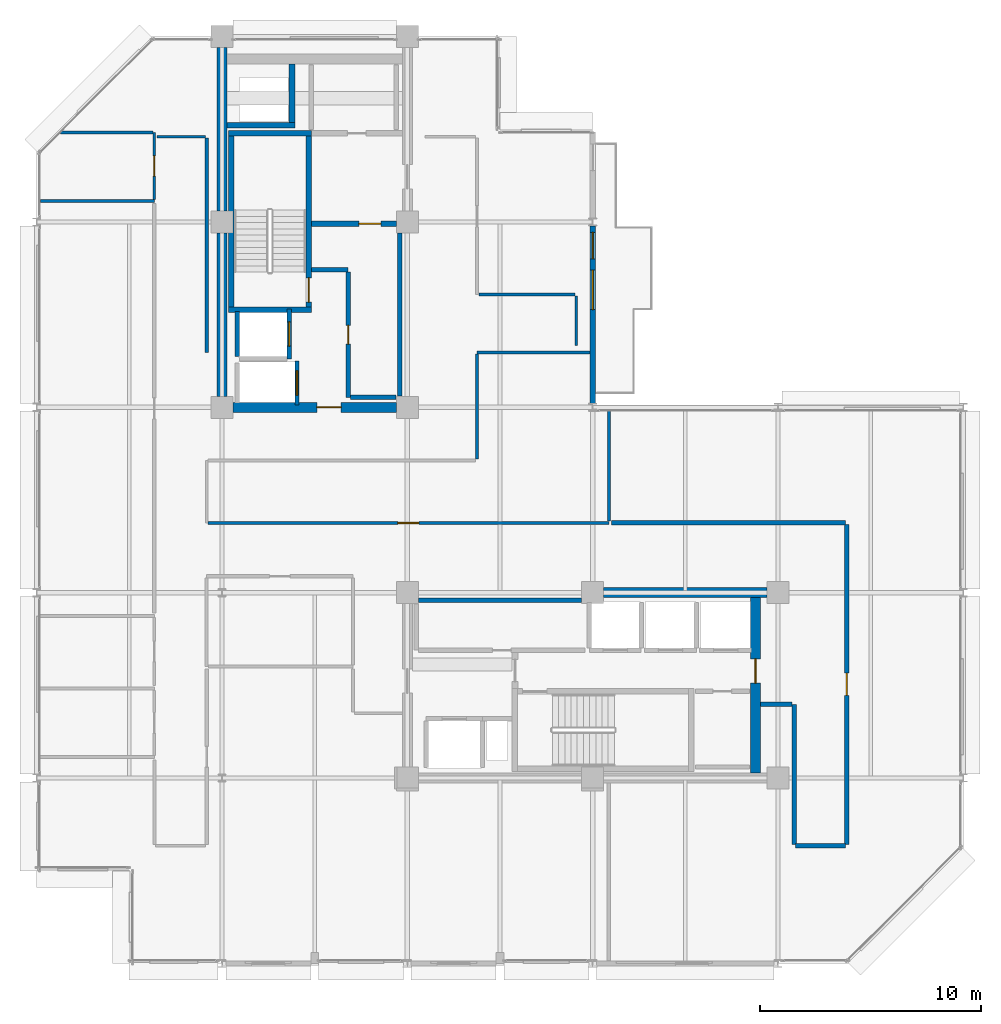
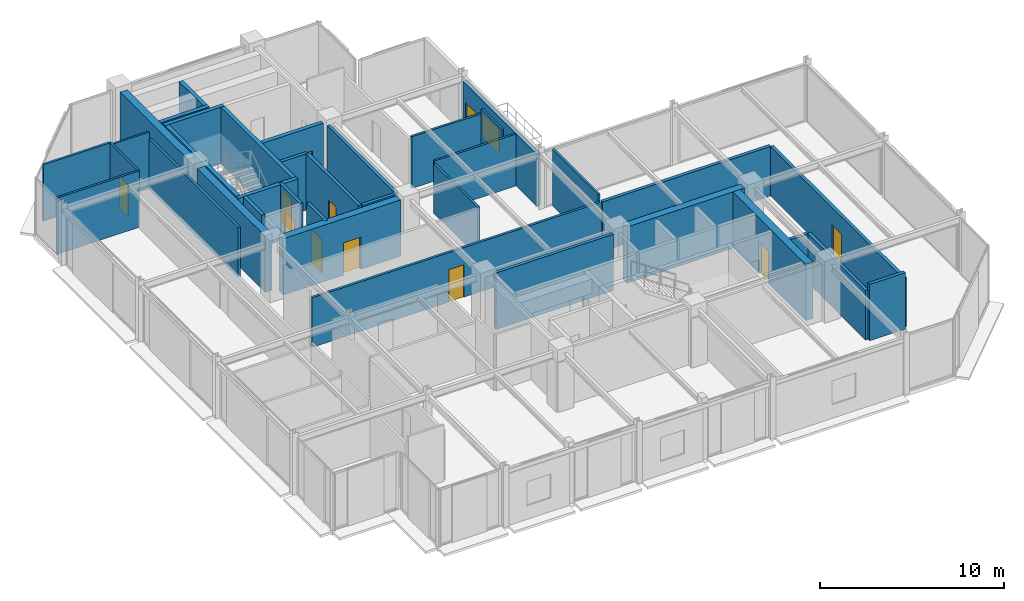
# One storey, part 21 of 26: 37 walls, 11 doors, 1 window, 12 openings.
"""IFC4 building model written with IfcOpenShell, lengths in metres."""

import ifcopenshell
import ifcopenshell.guid

model = None  # the IFC model being written
_history = None  # IfcOwnerHistory: only IFC2X3 demands one
_inside = {}  # id of a spatial element -> (the spatial element, [elements in it])
_under = {}  # id of a project, library or spatial element -> (it, [spatial elements below it])
_declared = {}  # id of a project -> (the project, [libraries it declares])
_typed = {}  # id of a type object -> (the type object, [elements of that type])
_made_of = {}  # id of a material, layer set ... -> (it, [elements and type objects made of it])


def new_model(schema):
    """Start an empty IFC model of exactly this schema.

    Asked for "IFC4X3", IfcOpenShell would pick the latest addendum, in which some entities
    have other attributes; the version numbers below select the first issue.
    IFC2X3 requires an IfcOwnerHistory on every rooted entity: one is made here for all.
    """
    global model, _history
    if schema == "IFC4X3":
        model = ifcopenshell.file(schema_version=(4, 3, 0, 0))
    else:
        model = ifcopenshell.file(schema=schema)
    _inside.clear()
    _under.clear()
    _declared.clear()
    _typed.clear()
    _made_of.clear()
    _history = None
    if model.schema == "IFC2X3":
        org = make("IfcOrganization", Name="unknown")
        user = make(
            "IfcPersonAndOrganization",
            ThePerson=make("IfcPerson", FamilyName="unknown"),
            TheOrganization=org,
        )
        app = make(
            "IfcApplication",
            ApplicationDeveloper=org,
            Version="unknown",
            ApplicationFullName="unknown",
            ApplicationIdentifier="unknown",
        )
        _history = make(
            "IfcOwnerHistory",
            OwningUser=user,
            OwningApplication=app,
            ChangeAction="ADDED",
            CreationDate=0,
        )
    return model


def make(cls, **values):
    """One entity of the class cls with the attributes given. An attribute that is None is left unset."""
    return model.create_entity(
        cls, **{name: value for name, value in values.items() if value is not None}
    )


def rooted(cls, **values):
    """An entity with a GlobalId (a new one), such as an element, a storey or a relation."""
    return make(cls, GlobalId=ifcopenshell.guid.new(), OwnerHistory=_history, **values)


def si_unit(unit_type, name, prefix=None):
    """IfcSIUnit, for example si_unit("LENGTHUNIT", "METRE", prefix="MILLI")."""
    return make("IfcSIUnit", UnitType=unit_type, Prefix=prefix, Name=name)


def assignment(units):
    """IfcUnitAssignment: the units of a project."""
    return None if units is None else make("IfcUnitAssignment", Units=units)


def point(xyz):
    """IfcCartesianPoint."""
    return None if xyz is None else make("IfcCartesianPoint", Coordinates=xyz)


def direction(xyz):
    """IfcDirection."""
    return None if xyz is None else make("IfcDirection", DirectionRatios=xyz)


def frame(location, z_axis=None, x_axis=None):
    """IfcAxis2Placement3D, a coordinate frame: its origin and axes. An axis left out is left unset."""
    return make(
        "IfcAxis2Placement3D",
        Location=point(location),
        Axis=direction(z_axis),
        RefDirection=direction(x_axis),
    )


def frame_2d(location, x_axis=None):
    """IfcAxis2Placement2D, a coordinate frame in the plane: its origin and x axis."""
    return make(
        "IfcAxis2Placement2D", Location=point(location), RefDirection=direction(x_axis)
    )


def origin():
    """The frame at (0, 0, 0) with its axes left unset."""
    return frame((0.0, 0.0, 0.0))


def place(relative_to, where):
    """IfcLocalPlacement: puts the frame where relative to a parent placement (None: the world)."""
    return make(
        "IfcLocalPlacement", PlacementRelTo=relative_to, RelativePlacement=where
    )


def context(
    kind, dimensions, precision=None, world=None, true_north=None, identifier=None
):
    """IfcGeometricRepresentationContext, for example the 3D "Model" context."""
    return make(
        "IfcGeometricRepresentationContext",
        ContextIdentifier=identifier,
        ContextType=kind,
        CoordinateSpaceDimension=dimensions,
        Precision=precision,
        WorldCoordinateSystem=world,
        TrueNorth=true_north,
    )


def subcontext(parent, identifier, kind, view, scale=None):
    """IfcGeometricRepresentationSubContext, for example "Body" below "Model"."""
    return make(
        "IfcGeometricRepresentationSubContext",
        ContextIdentifier=identifier,
        ContextType=kind,
        ParentContext=parent,
        TargetScale=scale,
        TargetView=view,
    )


def project(units=None, contexts=None):
    """IfcProject with its units and contexts."""
    return rooted(
        "IfcProject",
        Name="project",
        RepresentationContexts=contexts,
        UnitsInContext=assignment(units),
    )


def spatial(cls, under=None, at=None, **own):
    """A site, building, storey or space (cls), placed at a placement, below another one or the project."""
    s = rooted(cls, ObjectPlacement=at, **own)
    if under is not None:
        _under.setdefault(under.id(), (under, []))[1].append(s)
    return s


def profile(cls, at=None, kind="AREA", **sizes):
    """A parametric profile (cls). Its sizes go by their IFC names, for example OverallWidth=200.0."""
    return make(cls, ProfileType=kind, Position=at, **sizes)


def rectangle(**sizes):
    """IfcRectangleProfileDef."""
    return profile("IfcRectangleProfileDef", **sizes)


def extrude(swept, where, along, depth):
    """IfcExtrudedAreaSolid: the profile swept, set in the frame where, extruded along a direction by depth."""
    return make(
        "IfcExtrudedAreaSolid",
        SweptArea=swept,
        Position=where,
        ExtrudedDirection=direction(along),
        Depth=depth,
    )


def shape(context_of_items, identifier, shape_type, items):
    """IfcShapeRepresentation: the items that make up one representation, for example the "Body"."""
    return make(
        "IfcShapeRepresentation",
        ContextOfItems=context_of_items,
        RepresentationIdentifier=identifier,
        RepresentationType=shape_type,
        Items=items,
    )


def material(Name=None, Category=None):
    """IfcMaterial."""
    return make("IfcMaterial", Name=Name, Category=Category)


def layer(
    of_material, thickness, ventilated=None, Name=None, Category=None, Priority=None
):
    """IfcMaterialLayer: one layer of a wall or slab, of a material (None: an air gap)."""
    return make(
        "IfcMaterialLayer",
        Material=of_material,
        LayerThickness=thickness,
        IsVentilated=ventilated,
        Name=Name,
        Category=Category,
        Priority=Priority,
    )


def layer_set(layers, Name=None):
    """IfcMaterialLayerSet."""
    return make("IfcMaterialLayerSet", MaterialLayers=layers, LayerSetName=Name)


def made_of(thing, what):
    """Note that an element or type object is made of a material, layer set ...; save() writes the relation."""
    if what is not None:
        _made_of.setdefault(what.id(), (what, []))[1].append(thing)
    return thing


def type_object(cls, material=None, **own):
    """A type object (cls), such as IfcWallType, which elements share."""
    return made_of(rooted(cls, **own), material)


def element(
    cls,
    number,
    at=None,
    inside=None,
    cuts=None,
    type_object=None,
    material=None,
    context=None,
    identifier="Body",
    shape_type=None,
    held_by="IfcProductDefinitionShape",
    body=None,
    shapes=None,
    **own,
):
    """One element of the class cls, such as IfcWall. Its Tag is "e" and its number.

    at: its placement. inside: the storey or other place that contains it. cuts: it is an
    opening in that element (IfcRelVoidsElement). A single representation is given by context,
    identifier, shape_type and body (its items); several are given by shapes. held_by: the class
    of the entity that holds the representations. save() writes the other relations.
    """
    e = rooted(cls, Tag="e%d" % number, ObjectPlacement=at, **own)
    if body is not None:
        shapes = [shape(context, identifier, shape_type, body)]
    if shapes is not None:
        e.Representation = make(held_by, Representations=shapes)
    if inside is not None:
        _inside.setdefault(inside.id(), (inside, []))[1].append(e)
    if cuts is not None:
        rooted(
            "IfcRelVoidsElement", RelatingBuildingElement=cuts, RelatedOpeningElement=e
        )
    if type_object is not None:
        _typed.setdefault(type_object.id(), (type_object, []))[1].append(e)
    return made_of(e, material)


def fill(opening, filler):
    """IfcRelFillsElement: the door or window that sits in an opening."""
    return rooted(
        "IfcRelFillsElement",
        RelatingOpeningElement=opening,
        RelatedBuildingElement=filler,
    )


def aggregate(whole, parts):
    """IfcRelAggregates: a whole, such as a stair, and the parts it consists of."""
    return rooted("IfcRelAggregates", RelatingObject=whole, RelatedObjects=parts)


def save(model, path):
    """Write the relations noted so far, then the file.

    IfcRelAggregates (storeys below a building ...), IfcRelContainedInSpatialStructure (elements
    in a storey), IfcRelDefinesByType, IfcRelAssociatesMaterial and IfcRelDeclares: one each for
    every whole, place, type object, material and project.
    """
    for whole, parts in _under.values():
        aggregate(whole, parts)
    for where, things in _inside.values():
        rooted(
            "IfcRelContainedInSpatialStructure",
            RelatedElements=things,
            RelatingStructure=where,
        )
    for kind, things in _typed.values():
        rooted("IfcRelDefinesByType", RelatedObjects=things, RelatingType=kind)
    for what, things in _made_of.values():
        rooted("IfcRelAssociatesMaterial", RelatedObjects=things, RelatingMaterial=what)
    for by, libraries in _declared.values():
        rooted("IfcRelDeclares", RelatingContext=by, RelatedDefinitions=libraries)
    model.write(path)


model = new_model("IFC4")

# Units and contexts
model_context = context("Model", 3, precision=1e-05, world=origin(), true_north=direction((0.0, 1.0)))
body_context = subcontext(model_context, "Body", "Model", "MODEL_VIEW")
ifc_project = project(units=[si_unit("LENGTHUNIT", "METRE"), si_unit("AREAUNIT", "SQUARE_METRE"), si_unit("VOLUMEUNIT", "CUBIC_METRE"), si_unit("PLANEANGLEUNIT", "RADIAN"), si_unit("MASSUNIT", "GRAM", prefix="KILO")], contexts=[model_context])

# Site, building, storey
site_placement = place(None, origin())
site = spatial("IfcSite", under=ifc_project, at=site_placement, CompositionType="ELEMENT")
building_placement = place(site_placement, origin())
building = spatial("IfcBuilding", under=site, at=building_placement, Name="Nerrivon Quay Data Exchange", CompositionType="ELEMENT")
storey_placement = place(building_placement, frame((0.0, 0.0, 241.10009765625)))
storey = spatial("IfcBuildingStorey", under=building, at=storey_placement, Name="L57", CompositionType="ELEMENT", Elevation=241.10009765625)

# Wall, openings, door, window
ifc_material_1 = material(Name="Architectural terracotta precast concrete N50 (50 MPa)", Category="masonry")
ifc_layer_1 = layer(ifc_material_1, 0.239990234375)
ifc_layer_set_1 = layer_set([ifc_layer_1], Name="Architectural terracotta precast concrete N50 (50 MPa)")
wall_type_1 = type_object("IfcWallType", Name="EW-PREC-240", PredefinedType="STANDARD", material=ifc_layer_set_1)
wall_1_placement = place(storey_placement, frame((25.199951171875, 33.425048828125, 0.0), z_axis=(0.0, 0.0, 1.0), x_axis=(0.0, -1.0, 0.0)))
wall_1 = element("IfcWall", 1, at=wall_1_placement, inside=storey, type_object=wall_type_1, Name="L57 Terrace Host Wall 23", PredefinedType="STANDARD", context=body_context, shape_type="SweptSolid", body=[
    extrude(rectangle(XDim=8.050048828125, YDim=0.239990234375, at=frame_2d((4.02490234375, 0.0))), origin(), (0.0, 0.0, 1.0), 3.449951171875),
])
opening_1_placement = place(wall_1_placement, frame((0.300048828125, 0.0, 0.0)))
opening_1 = element("IfcOpeningElement", 2, at=opening_1_placement, cuts=wall_1, Name="Opening TD1", PredefinedType="OPENING", context=body_context, shape_type="SweptSolid", body=[
    extrude(rectangle(XDim=1.199951171875, YDim=2.199951171875, at=frame_2d((0.60009765625, 1.10009765625))), frame((0.0, 0.1298828125, 0.0), z_axis=(0.0, -1.0, 0.0), x_axis=(1.0, 0.0, 0.0)), (0.0, 0.0, 1.0), 0.260009765625),
])
opening_2_placement = place(wall_1_placement, frame((2.00341796875, 0.0, 0.89990234375)))
opening_2 = element("IfcOpeningElement", 3, at=opening_2_placement, cuts=wall_1, Name="Opening WN2", PredefinedType="OPENING", context=body_context, shape_type="SweptSolid", body=[
    extrude(rectangle(XDim=1.800048828125, YDim=1.60009765625, at=frame_2d((0.89990234375, 0.800048828125))), frame((0.0, 0.1298828125, 0.0), z_axis=(0.0, -1.0, 0.0), x_axis=(1.0, 0.0, 0.0)), (0.0, 0.0, 1.0), 0.260009765625),
])
ifc_material_2 = material(Name="Double-glazed low-E solar control glass", Category="glass")
door_type_1 = type_object("IfcDoorType", Name="DR-TERR-1200x2200", OperationType="NOTDEFINED", PredefinedType="DOOR", material=ifc_material_2)
door_1_placement = place(opening_1_placement, origin())
door_1 = element("IfcDoor", 4, at=door_1_placement, inside=storey, type_object=door_type_1, Name="L57 Outdoor Terrace Access Door 23", OperationType="SINGLE_SWING_RIGHT", OverallHeight=2.199951171875, OverallWidth=1.199951171875, PredefinedType="DOOR", context=body_context, shape_type="SweptSolid", body=[
    extrude(rectangle(XDim=1.199951171875, YDim=2.199951171875, at=frame_2d((0.60009765625, 1.10009765625))), frame((0.0, 0.02490234375, 0.0), z_axis=(0.0, -1.0, 0.0), x_axis=(1.0, 0.0, 0.0)), (0.0, 0.0, 1.0), 0.050048828125),
])
fill(opening_1, door_1)
window_type = type_object("IfcWindowType", Name="WIN-W2-1800x1600", PartitioningType="SINGLE_PANEL", PredefinedType="WINDOW", material=ifc_material_2)
window_placement = place(opening_2_placement, origin())
window = element("IfcWindow", 5, at=window_placement, inside=storey, type_object=window_type, Name="L57 Terrace Side Window 23", OverallHeight=1.60009765625, OverallWidth=1.800048828125, PartitioningType="SINGLE_PANEL", PredefinedType="WINDOW", context=body_context, shape_type="SweptSolid", body=[
    extrude(rectangle(XDim=1.800048828125, YDim=1.60009765625, at=frame_2d((0.89990234375, 0.800048828125))), frame((0.0, 0.030029296875, 0.0), z_axis=(0.0, -1.0, 0.0), x_axis=(1.0, 0.0, 0.0)), (0.0, 0.0, 1.0), 0.06005859375),
])
fill(opening_2, window)

# Walls
ifc_material_3 = material(Name="Concrete N50 (50 MPa)", Category="concrete")
ifc_layer_2 = layer(ifc_material_3, 0.449951171875)
ifc_layer_set_2 = layer_set([ifc_layer_2], Name="Concrete N50 (50 MPa)")
wall_type_2 = type_object("IfcWallType", Name="WALL-CW-550", PredefinedType="SHEAR", material=ifc_layer_set_2)
wall_2_placement = place(storey_placement, frame((8.39990234375, 25.699951171875, 0.0), z_axis=(0.0, 0.0, 1.0), x_axis=(0.0, 1.0, 0.0)))
element("IfcWall", 6, at=wall_2_placement, inside=storey, type_object=wall_type_2, Name="L57 West Split-Core Shear Wall WCW-W1", PredefinedType="SHEAR", context=body_context, shape_type="SweptSolid", body=[
    extrude(rectangle(XDim=7.400146484375, YDim=0.449951171875, at=frame_2d((3.7001953125, 0.0))), origin(), (0.0, 0.0, 1.0), 3.75),
])
wall_3_placement = place(storey_placement, frame((8.39990234375, 34.10009765625, 0.0), z_axis=(0.0, 0.0, 1.0), x_axis=(0.0, 1.0, 0.0)))
element("IfcWall", 7, at=wall_3_placement, inside=storey, type_object=wall_type_2, Name="L57 West Split-Core Shear Wall WCW-W2", PredefinedType="SHEAR", context=body_context, shape_type="SweptSolid", body=[
    extrude(rectangle(XDim=7.39990234375, YDim=0.449951171875, at=frame_2d((3.699951171875, 0.0))), origin(), (0.0, 0.0, 1.0), 3.75),
])

# Wall, opening, door
wall_4_placement = place(storey_placement, frame((8.89990234375, 25.199951171875, 0.0), z_axis=(0.0, 0.0, 1.0), x_axis=(1.0, 0.0, 0.0)))
wall_4 = element("IfcWall", 8, at=wall_4_placement, inside=storey, type_object=wall_type_2, Name="L57 West Split-Core Shear Wall WCW-S1", PredefinedType="SHEAR", context=body_context, shape_type="SweptSolid", body=[
    extrude(rectangle(XDim=7.400146484375, YDim=0.449951171875, at=frame_2d((3.7001953125, 0.0))), origin(), (0.0, 0.0, 1.0), 3.75),
])
opening_3_placement = place(wall_4_placement, frame((3.800048828125, 0.0, 0.0)))
opening_3 = element("IfcOpeningElement", 9, at=opening_3_placement, cuts=wall_4, Name="Opening FD-120", PredefinedType="OPENING", context=body_context, shape_type="SweptSolid", body=[
    extrude(rectangle(XDim=1.10009765625, YDim=2.14990234375, at=frame_2d((0.550048828125, 1.074951171875))), frame((0.0, 0.23486328125, 0.0), z_axis=(0.0, -1.0, 0.0), x_axis=(1.0, 0.0, 0.0)), (0.0, 0.0, 1.0), 0.469970703125),
])
ifc_material_4 = material(Name="Powder-coated galvanized steel sheet", Category="steel")
door_type_2 = type_object("IfcDoorType", Name="DR-FD120-1100", OperationType="NOTDEFINED", PredefinedType="DOOR", material=ifc_material_4)
door_2_placement = place(opening_3_placement, origin())
door_2 = element("IfcDoor", 10, at=door_2_placement, inside=storey, type_object=door_type_2, Name="L57 West Core Lobby Fire Door", OperationType="SINGLE_SWING_RIGHT", OverallHeight=2.14990234375, OverallWidth=1.10009765625, PredefinedType="DOOR", context=body_context, shape_type="SweptSolid", body=[
    extrude(rectangle(XDim=1.10009765625, YDim=2.14990234375, at=frame_2d((0.550048828125, 1.074951171875))), frame((0.0, 0.02490234375, 0.0), z_axis=(0.0, -1.0, 0.0), x_axis=(1.0, 0.0, 0.0)), (0.0, 0.0, 1.0), 0.050048828125),
])
fill(opening_3, door_2)

wall_5_placement = place(storey_placement, frame((32.574951171875, 8.625, 0.0), z_axis=(0.0, 0.0, 1.0), x_axis=(0.0, 1.0, 0.0)))
wall_5 = element("IfcWall", 11, at=wall_5_placement, inside=storey, type_object=wall_type_2, Name="L57 East Split-Core Shear Wall ECW-E1", PredefinedType="SHEAR", context=body_context, shape_type="SweptSolid", body=[
    extrude(rectangle(XDim=7.949951171875, YDim=0.449951171875, at=frame_2d((3.97509765625, 0.0))), origin(), (0.0, 0.0, 1.0), 3.75),
])
opening_4_placement = place(wall_5_placement, frame((4.074951171875, 0.0, 0.0)))
opening_4 = element("IfcOpeningElement", 12, at=opening_4_placement, cuts=wall_5, Name="Opening FD-120", PredefinedType="OPENING", context=body_context, shape_type="SweptSolid", body=[
    extrude(rectangle(XDim=1.10009765625, YDim=2.14990234375, at=frame_2d((0.550048828125, 1.074951171875))), frame((0.0, 0.23486328125, 0.0), z_axis=(0.0, -1.0, 0.0), x_axis=(1.0, 0.0, 0.0)), (0.0, 0.0, 1.0), 0.469970703125),
])
door_3_placement = place(opening_4_placement, origin())
door_3 = element("IfcDoor", 13, at=door_3_placement, inside=storey, type_object=door_type_2, Name="L57 East Core Lobby Fire Door", OperationType="SINGLE_SWING_LEFT", OverallHeight=2.14990234375, OverallWidth=1.10009765625, PredefinedType="DOOR", context=body_context, shape_type="SweptSolid", body=[
    extrude(rectangle(XDim=1.10009765625, YDim=2.14990234375, at=frame_2d((0.550048828125, 1.074951171875))), frame((0.0, 0.02490234375, 0.0), z_axis=(0.0, -1.0, 0.0), x_axis=(1.0, 0.0, 0.0)), (0.0, 0.0, 1.0), 0.050048828125),
])
fill(opening_4, door_3)

# Wall
wall_6_placement = place(storey_placement, frame((25.699951171875, 16.800048828125, 0.0), z_axis=(0.0, 0.0, 1.0), x_axis=(1.0, 0.0, 0.0)))
element("IfcWall", 14, at=wall_6_placement, inside=storey, type_object=wall_type_2, Name="L57 East Split-Core Shear Wall ECW-N1", PredefinedType="SHEAR", context=body_context, shape_type="SweptSolid", body=[
    extrude(rectangle(XDim=7.400146484375, YDim=0.449951171875, at=frame_2d((3.7001953125, 0.0))), origin(), (0.0, 0.0, 1.0), 3.75),
])

# Wall, opening, door
ifc_material_5 = material(Name="Gypsum plasterboard on cold-formed framing", Category="gypsum")
ifc_layer_3 = layer(ifc_material_5, 0.199951171875)
ifc_layer_set_3 = layer_set([ifc_layer_3], Name="Gypsum plasterboard on cold-formed framing")
wall_type_3 = type_object("IfcWallType", Name="WALL-FW-200", PredefinedType="PARTITIONING", material=ifc_layer_set_3)
wall_7_placement = place(storey_placement, frame((11.449951171875, 27.39990234375, 0.0), z_axis=(0.0, 0.0, 1.0), x_axis=(0.0, 1.0, 0.0)))
wall_7 = element("IfcWall", 15, at=wall_7_placement, inside=storey, type_object=wall_type_3, Name="L57 Lift Front Wall FFL-1", PredefinedType="PARTITIONING", context=body_context, shape_type="SweptSolid", body=[
    extrude(rectangle(XDim=2.25, YDim=0.199951171875, at=frame_2d((1.125, 0.0))), origin(), (0.0, 0.0, 1.0), 3.75),
])
opening_5_placement = place(wall_7_placement, frame((0.574951171875, 0.0, 0.0)))
opening_5 = element("IfcOpeningElement", 16, at=opening_5_placement, cuts=wall_7, Name="Opening LD-120", PredefinedType="OPENING", context=body_context, shape_type="SweptSolid", body=[
    extrude(rectangle(XDim=1.10009765625, YDim=2.199951171875, at=frame_2d((0.550048828125, 1.10009765625))), frame((0.0, 0.10986328125, 0.0), z_axis=(0.0, -1.0, 0.0), x_axis=(1.0, 0.0, 0.0)), (0.0, 0.0, 1.0), 0.219970703125),
])
door_type_3 = type_object("IfcDoorType", Name="DR-LIFT-LD120", OperationType="DOUBLE_DOOR_SLIDING", PredefinedType="DOOR", material=ifc_material_4)
door_4_placement = place(opening_5_placement, origin())
door_4 = element("IfcDoor", 17, at=door_4_placement, inside=storey, type_object=door_type_3, Name="L57 Lift Landing Sliding Door FFL-1", OperationType="DOUBLE_DOOR_SLIDING", OverallHeight=2.199951171875, OverallWidth=1.10009765625, PredefinedType="DOOR", context=body_context, shape_type="SweptSolid", body=[
    extrude(rectangle(XDim=1.10009765625, YDim=2.199951171875, at=frame_2d((0.550048828125, 1.10009765625))), frame((0.0, 0.02490234375, 0.0), z_axis=(0.0, -1.0, 0.0), x_axis=(1.0, 0.0, 0.0)), (0.0, 0.0, 1.0), 0.050048828125),
])
fill(opening_5, door_4)

# Wall
wall_8_placement = place(storey_placement, frame((9.10009765625, 27.5, 0.0), z_axis=(0.0, 0.0, 1.0), x_axis=(0.0, 1.0, 0.0)))
element("IfcWall", 18, at=wall_8_placement, inside=storey, type_object=wall_type_3, Name="L57 Lift Shaft Wall FFL-1 WEST", PredefinedType="PARTITIONING", context=body_context, shape_type="SweptSolid", body=[
    extrude(rectangle(XDim=2.050048828125, YDim=0.199951171875, at=frame_2d((1.02490234375, 0.0))), origin(), (0.0, 0.0, 1.0), 3.75),
])

# Wall, opening, door
wall_9_placement = place(storey_placement, frame((11.800048828125, 25.300048828125, 0.0), z_axis=(0.0, 0.0, 1.0), x_axis=(0.0, 1.0, 0.0)))
wall_9 = element("IfcWall", 19, at=wall_9_placement, inside=storey, type_object=wall_type_3, Name="L57 Lift Front Wall SVL-1", PredefinedType="PARTITIONING", context=body_context, shape_type="SweptSolid", body=[
    extrude(rectangle(XDim=2.0, YDim=0.199951171875, at=frame_2d((1.0, 0.0))), origin(), (0.0, 0.0, 1.0), 3.75),
])
opening_6_placement = place(wall_9_placement, frame((0.449951171875, 0.0, 0.0)))
opening_6 = element("IfcOpeningElement", 20, at=opening_6_placement, cuts=wall_9, Name="Opening LD-120", PredefinedType="OPENING", context=body_context, shape_type="SweptSolid", body=[
    extrude(rectangle(XDim=1.10009765625, YDim=2.199951171875, at=frame_2d((0.550048828125, 1.10009765625))), frame((0.0, 0.10986328125, 0.0), z_axis=(0.0, -1.0, 0.0), x_axis=(1.0, 0.0, 0.0)), (0.0, 0.0, 1.0), 0.219970703125),
])
door_5_placement = place(opening_6_placement, origin())
door_5 = element("IfcDoor", 21, at=door_5_placement, inside=storey, type_object=door_type_3, Name="L57 Lift Landing Sliding Door SVL-1", OperationType="DOUBLE_DOOR_SLIDING", OverallHeight=2.199951171875, OverallWidth=1.10009765625, PredefinedType="DOOR", context=body_context, shape_type="SweptSolid", body=[
    extrude(rectangle(XDim=1.10009765625, YDim=2.199951171875, at=frame_2d((0.550048828125, 1.10009765625))), frame((0.0, 0.02490234375, 0.0), z_axis=(0.0, -1.0, 0.0), x_axis=(1.0, 0.0, 0.0)), (0.0, 0.0, 1.0), 0.050048828125),
])
fill(opening_6, door_5)

# Walls
wall_10_placement = place(storey_placement, frame((16.449951171875, 25.705078125, 0.0), z_axis=(0.0, 0.0, 1.0), x_axis=(0.0, 1.0, 0.0)))
element("IfcWall", 22, at=wall_10_placement, inside=storey, type_object=wall_type_3, Name="L57 Partition Telemetry Hub Closet", PredefinedType="PARTITIONING", context=body_context, shape_type="SweptSolid", body=[
    extrude(rectangle(XDim=7.389892578125, YDim=0.199951171875, at=frame_2d((3.69482421875, 0.0))), origin(), (0.0, 0.0, 1.0), 3.75),
])
wall_11_placement = place(storey_placement, frame((12.4541015625, 31.43994140625, 0.0), z_axis=(0.0, 0.0, 1.0), x_axis=(1.0, 0.0, 0.0)))
element("IfcWall", 23, at=wall_11_placement, inside=storey, type_object=wall_type_3, Name="L57 Partition Telemetry Hub Closet", PredefinedType="PARTITIONING", context=body_context, shape_type="SweptSolid", body=[
    extrude(rectangle(XDim=1.666015625, YDim=0.199951171875, at=frame_2d((0.8330078125, 0.0))), origin(), (0.0, 0.0, 1.0), 3.75),
])

# Wall, opening, door
wall_12_placement = place(storey_placement, frame((14.1201171875, 31.3359375, 0.0), z_axis=(0.0, 0.0, 1.0), x_axis=(0.0, -1.0, 0.0)))
wall_12 = element("IfcWall", 24, at=wall_12_placement, inside=storey, type_object=wall_type_3, Name="L57 Partition Telemetry Hub Closet", PredefinedType="PARTITIONING", context=body_context, shape_type="SweptSolid", body=[
    extrude(rectangle(XDim=5.68603515625, YDim=0.199951171875, at=frame_2d((2.843017578125, 0.0))), origin(), (0.0, 0.0, 1.0), 3.75),
])
opening_7_placement = place(wall_12_placement, frame((2.41796875, 0.0, 0.0)))
opening_7 = element("IfcOpeningElement", 25, at=opening_7_placement, cuts=wall_12, Name="Opening FD-60S", PredefinedType="OPENING", context=body_context, shape_type="SweptSolid", body=[
    extrude(rectangle(XDim=0.85009765625, YDim=2.14990234375, at=frame_2d((0.425048828125, 1.074951171875))), frame((0.0, 0.10986328125, 0.0), z_axis=(0.0, -1.0, 0.0), x_axis=(1.0, 0.0, 0.0)), (0.0, 0.0, 1.0), 0.219970703125),
])
ifc_material_6 = material(Name="Engineered hardwood timber", Category="wood")
door_type_4 = type_object("IfcDoorType", Name="DR-FD60-850", OperationType="NOTDEFINED", PredefinedType="DOOR", material=ifc_material_6)
door_6_placement = place(opening_7_placement, origin())
door_6 = element("IfcDoor", 26, at=door_6_placement, inside=storey, type_object=door_type_4, Name="L57 Door Telemetry Hub Closet", OperationType="SINGLE_SWING_LEFT", OverallHeight=2.14990234375, OverallWidth=0.85009765625, PredefinedType="DOOR", context=body_context, shape_type="SweptSolid", body=[
    extrude(rectangle(XDim=0.85009765625, YDim=2.14990234375, at=frame_2d((0.425048828125, 1.074951171875))), frame((0.0, 0.02490234375, 0.0), z_axis=(0.0, -1.0, 0.0), x_axis=(1.0, 0.0, 0.0)), (0.0, 0.0, 1.0), 0.050048828125),
])
fill(opening_7, door_6)

# Walls
wall_13_placement = place(storey_placement, frame((14.22412109375, 25.64990234375, 0.0), z_axis=(0.0, 0.0, 1.0), x_axis=(1.0, 0.0, 0.0)))
element("IfcWall", 27, at=wall_13_placement, inside=storey, type_object=wall_type_3, Name="L57 Partition Telemetry Hub Closet", PredefinedType="PARTITIONING", context=body_context, shape_type="SweptSolid", body=[
    extrude(rectangle(XDim=2.07080078125, YDim=0.199951171875, at=frame_2d((1.035400390625, 0.0))), origin(), (0.0, 0.0, 1.0), 3.75),
])
wall_14_placement = place(storey_placement, frame((24.695068359375, 16.449951171875, 0.0), z_axis=(0.0, 0.0, 1.0), x_axis=(-1.0, 0.0, 0.0)))
element("IfcWall", 28, at=wall_14_placement, inside=storey, type_object=wall_type_3, Name="L57 Partition High-Zone Telemetry Equipment Store", PredefinedType="PARTITIONING", context=body_context, shape_type="SweptSolid", body=[
    extrude(rectangle(XDim=7.39013671875, YDim=0.199951171875, at=frame_2d((3.695068359375, 0.0))), origin(), (0.0, 0.0, 1.0), 3.75),
])
wall_15_placement = place(storey_placement, frame((26.0498046875, 19.9599609375, 0.0), z_axis=(0.0, 0.0, 1.0), x_axis=(1.0, 0.0, 0.0)))
element("IfcWall", 29, at=wall_15_placement, inside=storey, type_object=wall_type_3, Name="L57 Partition Colocation Data Workspace 1", PredefinedType="PARTITIONING", context=body_context, shape_type="SweptSolid", body=[
    extrude(rectangle(XDim=10.60009765625, YDim=0.199951171875, at=frame_2d((5.300048828125, 0.0))), origin(), (0.0, 0.0, 1.0), 3.2958984375),
])

# Wall, opening, door
wall_16_placement = place(storey_placement, frame((36.7099609375, 19.89990234375, 0.0), z_axis=(0.0, 0.0, 1.0), x_axis=(0.0, -1.0, 0.0)))
wall_16 = element("IfcWall", 30, at=wall_16_placement, inside=storey, type_object=wall_type_3, Name="L57 Partition Colocation Data Workspace 1", PredefinedType="PARTITIONING", context=body_context, shape_type="SweptSolid", body=[
    extrude(rectangle(XDim=14.5, YDim=0.199951171875, at=frame_2d((7.25, 0.0))), origin(), (0.0, 0.0, 1.0), 3.289794921875),
])
opening_8_placement = place(wall_16_placement, frame((6.75, 0.0, 0.0)))
opening_8 = element("IfcOpeningElement", 31, at=opening_8_placement, cuts=wall_16, Name="Opening FD-60", PredefinedType="OPENING", context=body_context, shape_type="SweptSolid", body=[
    extrude(rectangle(XDim=1.0, YDim=2.14990234375, at=frame_2d((0.5, 1.074951171875))), frame((0.0, 0.10986328125, 0.0), z_axis=(0.0, -1.0, 0.0), x_axis=(1.0, 0.0, 0.0)), (0.0, 0.0, 1.0), 0.219970703125),
])
door_type_5 = type_object("IfcDoorType", Name="DR-FD60-1000", OperationType="NOTDEFINED", PredefinedType="DOOR", material=ifc_material_6)
door_7_placement = place(opening_8_placement, origin())
door_7 = element("IfcDoor", 32, at=door_7_placement, inside=storey, type_object=door_type_5, Name="L57 Door Colocation Data Workspace 1", OperationType="SINGLE_SWING_LEFT", OverallHeight=2.14990234375, OverallWidth=1.0, PredefinedType="DOOR", context=body_context, shape_type="SweptSolid", body=[
    extrude(rectangle(XDim=1.0, YDim=2.14990234375, at=frame_2d((0.5, 1.074951171875))), frame((0.0, 0.02490234375, 0.0), z_axis=(0.0, -1.0, 0.0), x_axis=(1.0, 0.0, 0.0)), (0.0, 0.0, 1.0), 0.050048828125),
])
fill(opening_8, door_7)

# Walls
wall_17_placement = place(storey_placement, frame((36.64990234375, 5.340087890625, 0.0), z_axis=(0.0, 0.0, 1.0), x_axis=(-1.0, 0.0, 0.0)))
element("IfcWall", 33, at=wall_17_placement, inside=storey, type_object=wall_type_3, Name="L57 Partition Colocation Data Workspace 1", PredefinedType="PARTITIONING", context=body_context, shape_type="SweptSolid", body=[
    extrude(rectangle(XDim=2.25, YDim=0.199951171875, at=frame_2d((1.125, 0.0))), origin(), (0.0, 0.0, 1.0), 3.75),
])
wall_18_placement = place(storey_placement, frame((34.340087890625, 5.39990234375, 0.0), z_axis=(0.0, 0.0, 1.0), x_axis=(0.0, 1.0, 0.0)))
element("IfcWall", 34, at=wall_18_placement, inside=storey, type_object=wall_type_3, Name="L57 Partition Colocation Data Workspace 1", PredefinedType="PARTITIONING", context=body_context, shape_type="SweptSolid", body=[
    extrude(rectangle(XDim=6.340087890625, YDim=0.199951171875, at=frame_2d((3.169921875, 0.0))), origin(), (0.0, 0.0, 1.0), 3.289794921875),
])
wall_19_placement = place(storey_placement, frame((34.236083984375, 11.739990234375, 0.0), z_axis=(0.0, 0.0, 1.0), x_axis=(-1.0, 0.0, 0.0)))
element("IfcWall", 35, at=wall_19_placement, inside=storey, type_object=wall_type_3, Name="L57 Partition Colocation Data Workspace 1", PredefinedType="PARTITIONING", context=body_context, shape_type="SweptSolid", body=[
    extrude(rectangle(XDim=1.43212890625, YDim=0.199951171875, at=frame_2d((0.716064453125, 0.0))), origin(), (0.0, 0.0, 1.0), 3.2958984375),
])

# Wall, opening, door
ifc_layer_4 = layer(ifc_material_5, 0.1201171875)
ifc_layer_set_4 = layer_set([ifc_layer_4], Name="Gypsum plasterboard on cold-formed framing")
wall_type_4 = type_object("IfcWallType", Name="WALL-PT-120", PredefinedType="PARTITIONING", material=ifc_layer_set_4)
wall_20_placement = place(storey_placement, frame((5.340087890625, 34.62158203125, 0.0), z_axis=(0.0, 0.0, 1.0), x_axis=(0.0, 1.0, 0.0)))
wall_20 = element("IfcWall", 36, at=wall_20_placement, inside=storey, type_object=wall_type_4, Name="L57 Partition Staff Shower Block", PredefinedType="PARTITIONING", context=body_context, shape_type="SweptSolid", body=[
    extrude(rectangle(XDim=3.0283203125, YDim=0.1201171875, at=frame_2d((1.51416015625, 0.0))), origin(), (0.0, 0.0, 1.0), 3.75),
])
opening_9_placement = place(wall_20_placement, frame((1.05419921875, 0.0, 0.0)))
opening_9 = element("IfcOpeningElement", 37, at=opening_9_placement, cuts=wall_20, Name="Opening D-WC", PredefinedType="OPENING", context=body_context, shape_type="SweptSolid", body=[
    extrude(rectangle(XDim=0.919921875, YDim=2.10009765625, at=frame_2d((0.4599609375, 1.050048828125))), frame((0.0, 0.070068359375, 0.0), z_axis=(0.0, -1.0, 0.0), x_axis=(1.0, 0.0, 0.0)), (0.0, 0.0, 1.0), 0.14013671875),
])
door_type_6 = type_object("IfcDoorType", Name="DR-WC-920", OperationType="NOTDEFINED", PredefinedType="DOOR", material=ifc_material_6)
door_8_placement = place(opening_9_placement, origin())
door_8 = element("IfcDoor", 38, at=door_8_placement, inside=storey, type_object=door_type_6, Name="L57 Door Staff Shower Block", OperationType="SINGLE_SWING_LEFT", OverallHeight=2.10009765625, OverallWidth=0.919921875, PredefinedType="DOOR", context=body_context, shape_type="SweptSolid", body=[
    extrude(rectangle(XDim=0.919921875, YDim=2.10009765625, at=frame_2d((0.4599609375, 1.050048828125))), frame((0.0, 0.02490234375, 0.0), z_axis=(0.0, -1.0, 0.0), x_axis=(1.0, 0.0, 0.0)), (0.0, 0.0, 1.0), 0.050048828125),
])
fill(opening_9, door_8)

# Walls
wall_21_placement = place(storey_placement, frame((5.4599609375, 37.4599609375, 0.0), z_axis=(0.0, 0.0, 1.0), x_axis=(1.0, 0.0, 0.0)))
element("IfcWall", 39, at=wall_21_placement, inside=storey, type_object=wall_type_4, Name="L57 Partition Engineers Lounge", PredefinedType="PARTITIONING", context=body_context, shape_type="SweptSolid", body=[
    extrude(rectangle(XDim=2.18994140625, YDim=0.1201171875, at=frame_2d((1.094970703125, 0.0))), origin(), (0.0, 0.0, 1.0), 3.75),
])
wall_22_placement = place(storey_placement, frame((24.4599609375, 30.25, 0.0), z_axis=(0.0, 0.0, 1.0), x_axis=(0.0, -1.0, 0.0)))
element("IfcWall", 40, at=wall_22_placement, inside=storey, type_object=wall_type_4, Name="L57 Partition Engineers Lounge", PredefinedType="PARTITIONING", context=body_context, shape_type="SweptSolid", body=[
    extrude(rectangle(XDim=2.25, YDim=0.1201171875, at=frame_2d((1.125, 0.0))), origin(), (0.0, 0.0, 1.0), 3.75),
])
ifc_layer_5 = layer(ifc_material_5, 0.135009765625)
ifc_layer_set_5 = layer_set([ifc_layer_5], Name="Gypsum plasterboard on cold-formed framing")
wall_type_5 = type_object("IfcWallType", Name="WALL-PT-135", PredefinedType="PARTITIONING", material=ifc_layer_set_5)
wall_23_placement = place(storey_placement, frame((0.1689453125, 34.550048828125, 0.0), z_axis=(0.0, 0.0, 1.0), x_axis=(1.0, 0.0, 0.0)))
element("IfcWall", 41, at=wall_23_placement, inside=storey, type_object=wall_type_5, Name="L57 Partition Staff Shower Block", PredefinedType="PARTITIONING", context=body_context, shape_type="SweptSolid", body=[
    extrude(rectangle(XDim=5.171142578125, YDim=0.135009765625, at=frame_2d((2.58544921875, 0.0))), origin(), (0.0, 0.0, 1.0), 3.75),
])
wall_24_placement = place(storey_placement, frame((5.27587890625, 37.64990234375, 0.0), z_axis=(0.0, 0.0, 1.0), x_axis=(-1.0, 0.0, 0.0)))
element("IfcWall", 42, at=wall_24_placement, inside=storey, type_object=wall_type_5, Name="L57 Partition Staff Shower Block", PredefinedType="PARTITIONING", context=body_context, shape_type="SweptSolid", body=[
    extrude(rectangle(XDim=4.186767578125, YDim=0.135009765625, at=frame_2d((2.09326171875, 0.0))), origin(), (0.0, 0.0, 1.0), 3.75),
])
wall_25_placement = place(storey_placement, frame((25.9296875, 20.0390625, 0.0), z_axis=(0.0, 0.0, 1.0), x_axis=(0.0, 1.0, 0.0)))
element("IfcWall", 43, at=wall_25_placement, inside=storey, type_object=wall_type_5, Name="L57 Partition Staff Pantry", PredefinedType="PARTITIONING", context=body_context, shape_type="SweptSolid", body=[
    extrude(rectangle(XDim=4.991943359375, YDim=0.135009765625, at=frame_2d((2.49609375, 0.0))), origin(), (0.0, 0.0, 1.0), 3.75),
])
wall_26_placement = place(storey_placement, frame((25.075927734375, 27.68798828125, 0.0), z_axis=(0.0, 0.0, 1.0), x_axis=(-1.0, 0.0, 0.0)))
element("IfcWall", 44, at=wall_26_placement, inside=storey, type_object=wall_type_5, Name="L57 Partition Staff Pantry", PredefinedType="PARTITIONING", context=body_context, shape_type="SweptSolid", body=[
    extrude(rectangle(XDim=5.115966796875, YDim=0.135009765625, at=frame_2d((2.55810546875, 0.0))), origin(), (0.0, 0.0, 1.0), 3.44287109375),
])
wall_27_placement = place(storey_placement, frame((19.9599609375, 27.616455078125, 0.0), z_axis=(0.0, 0.0, 1.0), x_axis=(0.0, -1.0, 0.0)))
element("IfcWall", 45, at=wall_27_placement, inside=storey, type_object=wall_type_5, Name="L57 Partition Staff Pantry", PredefinedType="PARTITIONING", context=body_context, shape_type="SweptSolid", body=[
    extrude(rectangle(XDim=4.766357421875, YDim=0.135009765625, at=frame_2d((2.38330078125, 0.0))), origin(), (0.0, 0.0, 1.0), 3.289794921875),
])
wall_28_placement = place(storey_placement, frame((20.0390625, 30.31005859375, 0.0), z_axis=(0.0, 0.0, 1.0), x_axis=(1.0, 0.0, 0.0)))
element("IfcWall", 46, at=wall_28_placement, inside=storey, type_object=wall_type_5, Name="L57 Partition Engineers Lounge", PredefinedType="PARTITIONING", context=body_context, shape_type="SweptSolid", body=[
    extrude(rectangle(XDim=4.36083984375, YDim=0.135009765625, at=frame_2d((2.180419921875, 0.0))), origin(), (0.0, 0.0, 1.0), 3.44287109375),
])

# Wall, opening, door
ifc_layer_6 = layer(ifc_material_5, 0.14990234375)
ifc_layer_set_6 = layer_set([ifc_layer_6], Name="Gypsum plasterboard on cold-formed framing")
wall_type_6 = type_object("IfcWallType", Name="WALL-PT-150", PredefinedType="PARTITIONING", material=ifc_layer_set_6)
wall_29_placement = place(storey_placement, frame((7.77392578125, 19.9599609375, 0.0), z_axis=(0.0, 0.0, 1.0), x_axis=(1.0, 0.0, 0.0)))
wall_29 = element("IfcWall", 47, at=wall_29_placement, inside=storey, type_object=wall_type_6, Name="L57 Partition Staff Pantry", PredefinedType="PARTITIONING", context=body_context, shape_type="SweptSolid", body=[
    extrude(rectangle(XDim=18.15576171875, YDim=0.14990234375, at=frame_2d((9.077880859375, 0.0))), origin(), (0.0, 0.0, 1.0), 3.2958984375),
])
opening_10_placement = place(wall_29_placement, frame((8.602783203125, 0.0, 0.0)))
opening_10 = element("IfcOpeningElement", 48, at=opening_10_placement, cuts=wall_29, Name="Opening D-01", PredefinedType="OPENING", context=body_context, shape_type="SweptSolid", body=[
    extrude(rectangle(XDim=0.949951171875, YDim=2.14990234375, at=frame_2d((0.47509765625, 1.074951171875))), frame((0.0, 0.0849609375, 0.0), z_axis=(0.0, -1.0, 0.0), x_axis=(1.0, 0.0, 0.0)), (0.0, 0.0, 1.0), 0.169921875),
])
door_type_7 = type_object("IfcDoorType", Name="DR-INT-950", OperationType="NOTDEFINED", PredefinedType="DOOR", material=ifc_material_6)
door_9_placement = place(opening_10_placement, origin())
door_9 = element("IfcDoor", 49, at=door_9_placement, inside=storey, type_object=door_type_7, Name="L57 Door Staff Pantry", OperationType="SINGLE_SWING_LEFT", OverallHeight=2.14990234375, OverallWidth=0.949951171875, PredefinedType="DOOR", context=body_context, shape_type="SweptSolid", body=[
    extrude(rectangle(XDim=0.949951171875, YDim=2.14990234375, at=frame_2d((0.47509765625, 1.074951171875))), frame((0.0, 0.02490234375, 0.0), z_axis=(0.0, -1.0, 0.0), x_axis=(1.0, 0.0, 0.0)), (0.0, 0.0, 1.0), 0.050048828125),
])
fill(opening_10, door_9)

# Walls
wall_30_placement = place(storey_placement, frame((7.7099609375, 37.39990234375, 0.0), z_axis=(0.0, 0.0, 1.0), x_axis=(0.0, -1.0, 0.0)))
element("IfcWall", 50, at=wall_30_placement, inside=storey, type_object=wall_type_6, Name="L57 Partition Engineers Lounge", PredefinedType="PARTITIONING", context=body_context, shape_type="SweptSolid", body=[
    extrude(rectangle(XDim=9.7119140625, YDim=0.14990234375, at=frame_2d((4.85595703125, 0.0))), origin(), (0.0, 0.0, 1.0), 3.289794921875),
])
ifc_layer_7 = layer(ifc_material_3, 0.25)
ifc_layer_set_7 = layer_set([ifc_layer_7], Name="Concrete N50 (50 MPa)")
wall_type_7 = type_object("IfcWallType", Name="WALL-SW-250", PredefinedType="SHEAR", material=ifc_layer_set_7)
for number, where, z_axis, x_axis, name in (
    (51, (12.449951171875, 29.625, 0.0), (0.0, 0.0, 1.0), (-1.0, 0.0, 0.0), "L57 ST01 Structural Stair Core Wall NEAR"),
    (52, (12.449951171875, 37.625, 0.0), (0.0, 0.0, 1.0), (-1.0, 0.0, 0.0), "L57 ST01 Structural Stair Core Wall FAR"),
):
    element("IfcWall", number, at=place(storey_placement, frame(where, z_axis=z_axis, x_axis=x_axis)), inside=storey, type_object=wall_type_7, Name=name, PredefinedType="SHEAR", context=body_context, shape_type="SweptSolid", body=[
        extrude(rectangle(XDim=3.75, YDim=0.25, at=frame_2d((1.875, 0.0))), origin(), (0.0, 0.0, 1.0), 3.75),
    ])

# Wall, opening, door
wall_31_placement = place(storey_placement, frame((12.324951171875, 29.75, 0.0), z_axis=(0.0, 0.0, 1.0), x_axis=(0.0, 1.0, 0.0)))
wall_31 = element("IfcWall", 53, at=wall_31_placement, inside=storey, type_object=wall_type_7, Name="L57 ST01 Structural Stair Core Wall LEFT", PredefinedType="SHEAR", context=body_context, shape_type="SweptSolid", body=[
    extrude(rectangle(XDim=7.75, YDim=0.25, at=frame_2d((3.875, 0.0))), origin(), (0.0, 0.0, 1.0), 3.75),
])
opening_11_placement = place(wall_31_placement, frame((0.219970703125, 0.0, 0.0)))
opening_11 = element("IfcOpeningElement", 54, at=opening_11_placement, cuts=wall_31, Name="Opening FD-120", PredefinedType="OPENING", context=body_context, shape_type="SweptSolid", body=[
    extrude(rectangle(XDim=1.10009765625, YDim=2.14990234375, at=frame_2d((0.550048828125, 1.074951171875))), frame((0.0, 0.135009765625, 0.0), z_axis=(0.0, -1.0, 0.0), x_axis=(1.0, 0.0, 0.0)), (0.0, 0.0, 1.0), 0.27001953125),
])
door_10_placement = place(opening_11_placement, origin())
door_10 = element("IfcDoor", 55, at=door_10_placement, inside=storey, type_object=door_type_2, Name="L57 Protected Stair Door ST01", OperationType="SINGLE_SWING_LEFT", OverallHeight=2.14990234375, OverallWidth=1.10009765625, PredefinedType="DOOR", context=body_context, shape_type="SweptSolid", body=[
    extrude(rectangle(XDim=1.10009765625, YDim=2.14990234375, at=frame_2d((0.550048828125, 1.074951171875))), frame((0.0, 0.02490234375, 0.0), z_axis=(0.0, -1.0, 0.0), x_axis=(1.0, 0.0, 0.0)), (0.0, 0.0, 1.0), 0.050048828125),
])
fill(opening_11, door_10)

# Walls
wall_32_placement = place(storey_placement, frame((8.824951171875, 29.75, 0.0), z_axis=(0.0, 0.0, 1.0), x_axis=(0.0, 1.0, 0.0)))
element("IfcWall", 56, at=wall_32_placement, inside=storey, type_object=wall_type_7, Name="L57 ST01 Structural Stair Core Wall RIGHT", PredefinedType="SHEAR", context=body_context, shape_type="SweptSolid", body=[
    extrude(rectangle(XDim=7.75, YDim=0.25, at=frame_2d((3.875, 0.0))), origin(), (0.0, 0.0, 1.0), 3.75),
])
wall_33_placement = place(storey_placement, frame((8.625, 37.97509765625, 0.0), z_axis=(0.0, 0.0, 1.0), x_axis=(1.0, 0.0, 0.0)))
element("IfcWall", 57, at=wall_33_placement, inside=storey, type_object=wall_type_7, Name="L57 West Core MEP Riser Shaft Wall S", PredefinedType="SHEAR", context=body_context, shape_type="SweptSolid", body=[
    extrude(rectangle(XDim=3.074951171875, YDim=0.25, at=frame_2d((1.53759765625, 0.0))), origin(), (0.0, 0.0, 1.0), 3.75),
])
wall_34_placement = place(storey_placement, frame((11.574951171875, 38.10009765625, 0.0), z_axis=(0.0, 0.0, 1.0), x_axis=(0.0, 1.0, 0.0)))
element("IfcWall", 58, at=wall_34_placement, inside=storey, type_object=wall_type_7, Name="L57 West Core MEP Riser Shaft Wall E", PredefinedType="SHEAR", context=body_context, shape_type="SweptSolid", body=[
    extrude(rectangle(XDim=2.64990234375, YDim=0.25, at=frame_2d((1.324951171875, 0.0))), origin(), (0.0, 0.0, 1.0), 3.75),
])

# Wall, opening, door
wall_35_placement = place(storey_placement, frame((12.449951171875, 33.52001953125, 0.0), z_axis=(0.0, 0.0, 1.0), x_axis=(1.0, 0.0, 0.0)))
wall_35 = element("IfcWall", 59, at=wall_35_placement, inside=storey, type_object=wall_type_7, Name="L57 West Lobby Smoke-Stop Wall", PredefinedType="SHEAR", context=body_context, shape_type="SweptSolid", body=[
    extrude(rectangle(XDim=3.85009765625, YDim=0.25, at=frame_2d((1.925048828125, 0.0))), origin(), (0.0, 0.0, 1.0), 3.75),
])
opening_12_placement = place(wall_35_placement, frame((2.14990234375, 0.0, 0.0)))
opening_12 = element("IfcOpeningElement", 60, at=opening_12_placement, cuts=wall_35, Name="Opening FD-60", PredefinedType="OPENING", context=body_context, shape_type="SweptSolid", body=[
    extrude(rectangle(XDim=1.0, YDim=2.14990234375, at=frame_2d((0.5, 1.074951171875))), frame((0.0, 0.135009765625, 0.0), z_axis=(0.0, -1.0, 0.0), x_axis=(1.0, 0.0, 0.0)), (0.0, 0.0, 1.0), 0.27001953125),
])
door_11_placement = place(opening_12_placement, origin())
door_11 = element("IfcDoor", 61, at=door_11_placement, inside=storey, type_object=door_type_5, Name="L57 West Firefighting Lobby Fire Door", OperationType="SINGLE_SWING_LEFT", OverallHeight=2.14990234375, OverallWidth=1.0, PredefinedType="DOOR", context=body_context, shape_type="SweptSolid", body=[
    extrude(rectangle(XDim=1.0, YDim=2.14990234375, at=frame_2d((0.5, 1.074951171875))), frame((0.0, 0.02490234375, 0.0), z_axis=(0.0, -1.0, 0.0), x_axis=(1.0, 0.0, 0.0)), (0.0, 0.0, 1.0), 0.050048828125),
])
fill(opening_12, door_11)

save(model, "model.ifc")
